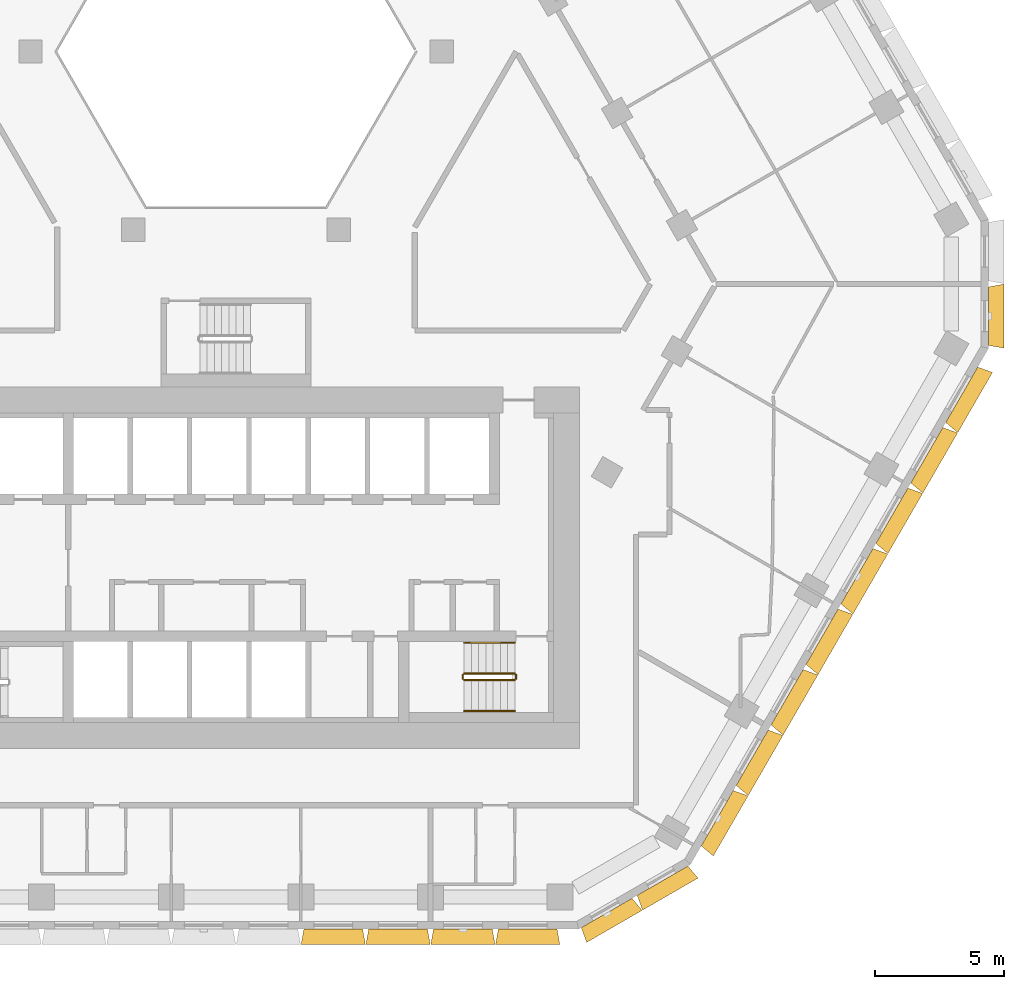
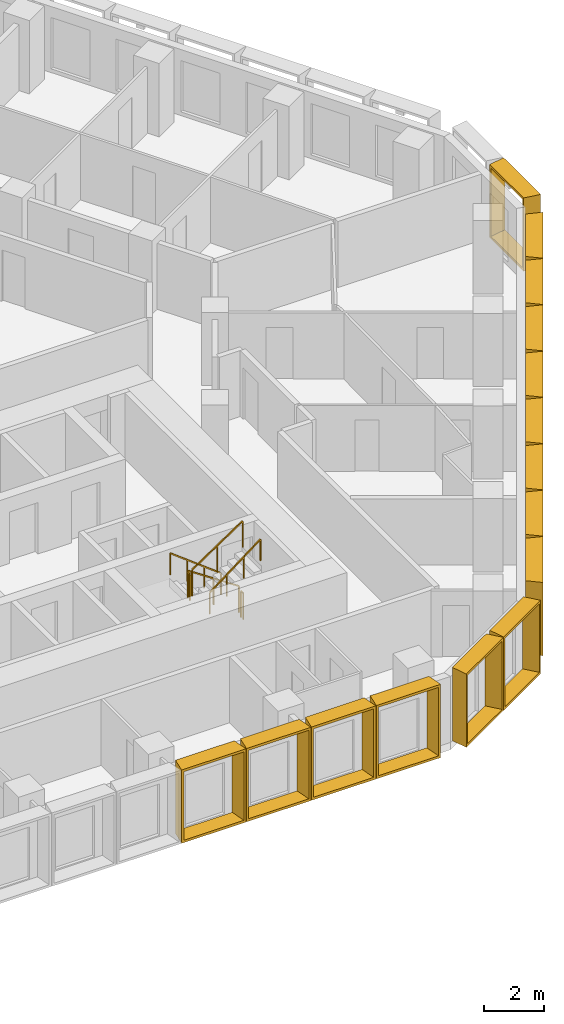
# One storey, part 17 of 18: 15 shading devices, 6 railings.
"""IFC4 building model written with IfcOpenShell, lengths in metres."""

from ifc_helpers import new_model, entity, si_unit, direction, frame, origin, origin_2d, place, context, subcontext, project, spatial, rectangle, extrude, source, transform, mapped, material, type_object, type_shapes, element, save


model = new_model("IFC4")

# Units and contexts
model_context = context("Model", 3, precision=1e-05, world=origin(), true_north=direction((0.0, 1.0)))
body_context = subcontext(model_context, "Body", "Model", "MODEL_VIEW")
ifc_project = project(units=[si_unit("LENGTHUNIT", "METRE"), si_unit("AREAUNIT", "SQUARE_METRE"), si_unit("VOLUMEUNIT", "CUBIC_METRE"), si_unit("PLANEANGLEUNIT", "RADIAN"), si_unit("MASSUNIT", "GRAM", prefix="KILO")], contexts=[model_context])

# Site, building, storey
site_placement = place(None, origin())
site = spatial("IfcSite", under=ifc_project, at=site_placement, CompositionType="ELEMENT")
building_placement = place(site_placement, origin())
building = spatial("IfcBuilding", under=site, at=building_placement, Name="Beryl Residences", CompositionType="ELEMENT")
storey_placement = place(building_placement, frame((0.0, 0.0, 93.0)))
storey = spatial("IfcBuildingStorey", under=building, at=storey_placement, Name="L28", CompositionType="ELEMENT", Elevation=93.0)

# Shading devices
ifc_material_1 = material(Name="Aluminium pale anodised", Category="aluminium")
shading_device_type_1 = type_object("IfcShadingDeviceType", Name="FR250-60A OUTER SKIN frame 600 mm deep, splay 10/10 deg, 2500 x 3000 mm cell", PredefinedType="USERDEFINED", material=ifc_material_1)
cartesian_point_1 = entity("IfcCartesianPoint", [-1.134033203125, 0.0])
cartesian_point_2 = entity("IfcCartesianPoint", [-1.052734375, 0.10009765625])
cartesian_point_3 = entity("IfcCartesianPoint", [-1.23974609375, 0.0])
cartesian_point_4 = entity("IfcCartesianPoint", [-1.158447265625, 0.10009765625])
shared_shape_1 = source(origin(), body_context, "Body", "SweptSolid", [
    entity("IfcExtrudedAreaSolidTapered", entity("IfcArbitraryProfileDefWithVoids", "AREA", None, entity("IfcPolyline", [cartesian_point_1, entity("IfcCartesianPoint", [1.134033203125, 0.0]), entity("IfcCartesianPoint", [1.134033203125, 3.0]), entity("IfcCartesianPoint", [-1.134033203125, 3.0]), cartesian_point_1]), [entity("IfcPolyline", [cartesian_point_2, entity("IfcCartesianPoint", [1.052734375, 0.10009765625]), entity("IfcCartesianPoint", [1.052734375, 2.89990234375]), entity("IfcCartesianPoint", [-1.052734375, 2.89990234375]), cartesian_point_2])]), entity("IfcAxis2Placement3D", entity("IfcCartesianPoint", [0.0, 0.0, 0.0]), entity("IfcDirection", [0.0, 1.0, 0.0]), entity("IfcDirection", [-1.0, 0.0, 0.0])), entity("IfcDirection", [0.0, 0.0, 1.0]), 0.60009765625, entity("IfcArbitraryProfileDefWithVoids", "AREA", None, entity("IfcPolyline", [cartesian_point_3, entity("IfcCartesianPoint", [1.23974609375, 0.0]), entity("IfcCartesianPoint", [1.23974609375, 3.0]), entity("IfcCartesianPoint", [-1.23974609375, 3.0]), cartesian_point_3]), [entity("IfcPolyline", [cartesian_point_4, entity("IfcCartesianPoint", [1.158447265625, 0.10009765625]), entity("IfcCartesianPoint", [1.158447265625, 2.89990234375]), entity("IfcCartesianPoint", [-1.158447265625, 2.89990234375]), cartesian_point_4])])),
])
type_shapes(shading_device_type_1, [shared_shape_1])
for number, where, z_axis, x_axis, name in (
    (1, (14.361083984375, -25.375, 0.0), (0.0, 0.0, 1.0), (-0.866025403784, -0.5, 0.0), "FR250-60A frame L28 S-SE 1"),
    (2, (16.527099609375, -24.125, 0.0), (0.0, 0.0, 1.0), (-0.866025403784, -0.5, 0.0), "FR250-60A frame L28 S-SE 2"),
    (3, (29.156982421875, -2.25, 0.0), (0.0, 0.0, 1.0), (0.0, -1.0, 0.0), "FR250-60A frame L28 SE-NE 1"),
):
    element("IfcShadingDevice", number, at=place(storey_placement, frame(where, z_axis=z_axis, x_axis=x_axis)), inside=storey, type_object=shading_device_type_1, Name=name, ObjectType="OUTER SKIN", PredefinedType="USERDEFINED", context=body_context, shape_type="MappedRepresentation", body=[
        mapped(shared_shape_1, transform((0.0, 0.0, 0.0))),
    ])
ifc_material_2 = material(Name="Aluminium pale anodised", Category="aluminium")
shading_device_type_2 = type_object("IfcShadingDeviceType", Name="FR251-60A OUTER SKIN frame 600 mm deep, splay 10/10 deg, 2510 x 3000 mm cell", PredefinedType="USERDEFINED", material=ifc_material_2)
cartesian_point_5 = entity("IfcCartesianPoint", [-1.138916015625, 0.0])
cartesian_point_6 = entity("IfcCartesianPoint", [-1.057861328125, 0.10009765625])
cartesian_point_7 = entity("IfcCartesianPoint", [-1.244873046875, 0.0])
cartesian_point_8 = entity("IfcCartesianPoint", [-1.16357421875, 0.10009765625])
shared_shape_2 = source(origin(), body_context, "Body", "SweptSolid", [
    entity("IfcExtrudedAreaSolidTapered", entity("IfcArbitraryProfileDefWithVoids", "AREA", None, entity("IfcPolyline", [cartesian_point_5, entity("IfcCartesianPoint", [1.138916015625, 0.0]), entity("IfcCartesianPoint", [1.138916015625, 3.0]), entity("IfcCartesianPoint", [-1.138916015625, 3.0]), cartesian_point_5]), [entity("IfcPolyline", [cartesian_point_6, entity("IfcCartesianPoint", [1.057861328125, 0.10009765625]), entity("IfcCartesianPoint", [1.057861328125, 2.89990234375]), entity("IfcCartesianPoint", [-1.057861328125, 2.89990234375]), cartesian_point_6])]), entity("IfcAxis2Placement3D", entity("IfcCartesianPoint", [0.0, 0.0, 0.0]), entity("IfcDirection", [0.0, 1.0, 0.0]), entity("IfcDirection", [-1.0, 0.0, 0.0])), entity("IfcDirection", [0.0, 0.0, 1.0]), 0.60009765625, entity("IfcArbitraryProfileDefWithVoids", "AREA", None, entity("IfcPolyline", [cartesian_point_7, entity("IfcCartesianPoint", [1.244873046875, 0.0]), entity("IfcCartesianPoint", [1.244873046875, 3.0]), entity("IfcCartesianPoint", [-1.244873046875, 3.0]), cartesian_point_7]), [entity("IfcPolyline", [cartesian_point_8, entity("IfcCartesianPoint", [1.16357421875, 0.10009765625]), entity("IfcCartesianPoint", [1.16357421875, 2.89990234375]), entity("IfcCartesianPoint", [-1.16357421875, 2.89990234375]), cartesian_point_8])])),
])
type_shapes(shading_device_type_2, [shared_shape_2])
for number, where, z_axis, x_axis, name in (
    (4, (3.76806640625, -26.0, 0.0), (0.0, 0.0, 1.0), (-1.0, 0.0, 0.0), "FR251-60A frame L28 S 7"),
    (5, (6.279052734375, -26.0, 0.0), (0.0, 0.0, 1.0), (-1.0, 0.0, 0.0), "FR251-60A frame L28 S 8"),
    (6, (8.791015625, -26.0, 0.0), (0.0, 0.0, 1.0), (-1.0, 0.0, 0.0), "FR251-60A frame L28 S 9"),
    (7, (11.302001953125, -26.0, 0.0), (0.0, 0.0, 1.0), (-1.0, 0.0, 0.0), "FR251-60A frame L28 S 10"),
):
    element("IfcShadingDevice", number, at=place(storey_placement, frame(where, z_axis=z_axis, x_axis=x_axis)), inside=storey, type_object=shading_device_type_2, Name=name, ObjectType="OUTER SKIN", PredefinedType="USERDEFINED", context=body_context, shape_type="MappedRepresentation", body=[
        mapped(shared_shape_2, transform((0.0, 0.0, 0.0))),
    ])
ifc_material_3 = material(Name="Aluminium pale anodised", Category="aluminium")
shading_device_type_3 = type_object("IfcShadingDeviceType", Name="FR271-60A OUTER SKIN frame 600 mm deep, splay 10/10 deg, 2710 x 3000 mm cell", PredefinedType="USERDEFINED", material=ifc_material_3)
cartesian_point_9 = entity("IfcCartesianPoint", [-1.239013671875, 0.0])
cartesian_point_10 = entity("IfcCartesianPoint", [-1.15771484375, 0.10009765625])
cartesian_point_11 = entity("IfcCartesianPoint", [-1.3447265625, 0.0])
cartesian_point_12 = entity("IfcCartesianPoint", [-1.263671875, 0.10009765625])
shared_shape_3 = source(origin(), body_context, "Body", "SweptSolid", [
    entity("IfcExtrudedAreaSolidTapered", entity("IfcArbitraryProfileDefWithVoids", "AREA", None, entity("IfcPolyline", [cartesian_point_9, entity("IfcCartesianPoint", [1.239013671875, 0.0]), entity("IfcCartesianPoint", [1.239013671875, 3.0]), entity("IfcCartesianPoint", [-1.239013671875, 3.0]), cartesian_point_9]), [entity("IfcPolyline", [cartesian_point_10, entity("IfcCartesianPoint", [1.15771484375, 0.10009765625]), entity("IfcCartesianPoint", [1.15771484375, 2.89990234375]), entity("IfcCartesianPoint", [-1.15771484375, 2.89990234375]), cartesian_point_10])]), entity("IfcAxis2Placement3D", entity("IfcCartesianPoint", [0.0, 0.0, 0.0]), entity("IfcDirection", [0.0, 1.0, 0.0]), entity("IfcDirection", [-1.0, 0.0, 0.0])), entity("IfcDirection", [0.0, 0.0, 1.0]), 0.60009765625, entity("IfcArbitraryProfileDefWithVoids", "AREA", None, entity("IfcPolyline", [cartesian_point_11, entity("IfcCartesianPoint", [1.3447265625, 0.0]), entity("IfcCartesianPoint", [1.3447265625, 3.0]), entity("IfcCartesianPoint", [-1.3447265625, 3.0]), cartesian_point_11]), [entity("IfcPolyline", [cartesian_point_12, entity("IfcCartesianPoint", [1.263671875, 0.10009765625]), entity("IfcCartesianPoint", [1.263671875, 2.89990234375]), entity("IfcCartesianPoint", [-1.263671875, 2.89990234375]), cartesian_point_12])])),
])
type_shapes(shading_device_type_3, [shared_shape_3])
for number, where, z_axis, x_axis, name in (
    (8, (18.64697265625, -21.7041015625, 0.0), (0.0, 0.0, 1.0), (-0.5, -0.866025403784, 0.0), "FR271-60A frame L28 SE 1"),
    (9, (20.0, -19.360107421875, 0.0), (0.0, 0.0, 1.0), (-0.5, -0.866025403784, 0.0), "FR271-60A frame L28 SE 2"),
    (10, (21.35302734375, -17.01611328125, 0.0), (0.0, 0.0, 1.0), (-0.5, -0.866025403784, 0.0), "FR271-60A frame L28 SE 3"),
    (11, (22.7060546875, -14.672119140625, 0.0), (0.0, 0.0, 1.0), (-0.5, -0.866025403784, 0.0), "FR271-60A frame L28 SE 4"),
    (12, (24.06005859375, -12.327880859375, 0.0), (0.0, 0.0, 1.0), (-0.5, -0.866025403784, 0.0), "FR271-60A frame L28 SE 5"),
    (13, (25.4130859375, -9.98388671875, 0.0), (0.0, 0.0, 1.0), (-0.5, -0.866025403784, 0.0), "FR271-60A frame L28 SE 6"),
    (14, (26.76611328125, -7.639892578125, 0.0), (0.0, 0.0, 1.0), (-0.5, -0.866025403784, 0.0), "FR271-60A frame L28 SE 7"),
    (15, (28.118896484375, -5.2958984375, 0.0), (0.0, 0.0, 1.0), (-0.5, -0.866025403784, 0.0), "FR271-60A frame L28 SE 8"),
):
    element("IfcShadingDevice", number, at=place(storey_placement, frame(where, z_axis=z_axis, x_axis=x_axis)), inside=storey, type_object=shading_device_type_3, Name=name, ObjectType="OUTER SKIN", PredefinedType="USERDEFINED", context=body_context, shape_type="MappedRepresentation", body=[
        mapped(shared_shape_3, transform((0.0, 0.0, 0.0))),
    ])

# Railings
ifc_material_4 = material(Name="Stainless steel balustrade with glass infill", Category="steel")
railing_type_1 = type_object("IfcRailingType", Name="SG1 stair guard 1100 mm", PredefinedType="GUARDRAIL", material=ifc_material_4)
railing_1_placement = place(storey_placement, frame((10.800048828125, -16.10009765625, 0.1875)))
element("IfcRailing", 16, at=railing_1_placement, inside=storey, type_object=railing_type_1, Name="L28 ST-3 stair guard 1", PredefinedType="GUARDRAIL", context=body_context, shape_type="SweptSolid", body=[
    extrude(rectangle(XDim=0.048095703125, YDim=0.048095703125, at=origin_2d()), frame((0.0, 0.0, 1.076171875), z_axis=(-0.830902050051, 0.0, 0.556418712142), x_axis=(0.0, -1.0, 0.0)), (0.0, 0.0, 1.0), 2.35888671875),
    extrude(rectangle(XDim=0.0419921875, YDim=0.0419921875, at=origin_2d()), origin(), (0.0, 0.0, 1.0), 1.052001953125),
    extrude(rectangle(XDim=0.0419921875, YDim=0.0419921875, at=origin_2d()), frame((-0.97998046875, 0.0, 0.65625)), (0.0, 0.0, 1.0), 1.052001953125),
    extrude(rectangle(XDim=0.0419921875, YDim=0.0419921875, at=origin_2d()), frame((-1.9599609375, 0.0, 1.3125)), (0.0, 0.0, 1.0), 1.052001953125),
])
railing_2_placement = place(storey_placement, frame((8.7900390625, -16.14990234375, 1.5)))
element("IfcRailing", 17, at=railing_2_placement, inside=storey, type_object=railing_type_1, Name="L28 ST-3 stair guard 2", PredefinedType="GUARDRAIL", context=body_context, shape_type="SweptSolid", body=[
    extrude(rectangle(XDim=0.048095703125, YDim=0.048095703125, at=origin_2d()), frame((0.0, 0.0, 1.076171875), z_axis=(0.0, -1.0, 0.0), x_axis=(1.0, 0.0, 0.0)), (0.0, 0.0, 1.0), 0.150146484375),
    extrude(rectangle(XDim=0.0419921875, YDim=0.0419921875, at=origin_2d()), origin(), (0.0, 0.0, 1.0), 1.052001953125),
    extrude(rectangle(XDim=0.0419921875, YDim=0.0419921875, at=origin_2d()), frame((0.0, -0.150146484375, 0.0)), (0.0, 0.0, 1.0), 1.052001953125),
])
railing_3_placement = place(storey_placement, frame((8.840087890625, -16.35009765625, 1.6875)))
element("IfcRailing", 18, at=railing_3_placement, inside=storey, type_object=railing_type_1, Name="L28 ST-3 stair guard 3", PredefinedType="GUARDRAIL", context=body_context, shape_type="SweptSolid", body=[
    extrude(rectangle(XDim=0.048095703125, YDim=0.048095703125, at=origin_2d()), frame((0.0, 0.0, 1.076171875), z_axis=(0.830902050051, 0.0, 0.556418712142), x_axis=(0.0, 1.0, 0.0)), (0.0, 0.0, 1.0), 2.35888671875),
    extrude(rectangle(XDim=0.0419921875, YDim=0.0419921875, at=origin_2d()), origin(), (0.0, 0.0, 1.0), 1.052001953125),
    extrude(rectangle(XDim=0.0419921875, YDim=0.0419921875, at=origin_2d()), frame((0.97998046875, 0.0, 0.65625)), (0.0, 0.0, 1.0), 1.052001953125),
    extrude(rectangle(XDim=0.0419921875, YDim=0.0419921875, at=origin_2d()), frame((1.9599609375, 0.0, 1.3125)), (0.0, 0.0, 1.0), 1.052001953125),
])
railing_4_placement = place(storey_placement, frame((10.85009765625, -16.14990234375, 0.0)))
element("IfcRailing", 19, at=railing_4_placement, inside=storey, type_object=railing_type_1, Name="L28 ST-3 stair guard 4", PredefinedType="GUARDRAIL", context=body_context, shape_type="SweptSolid", body=[
    extrude(rectangle(XDim=0.048095703125, YDim=0.048095703125, at=origin_2d()), frame((0.0, 0.0, 1.076171875), z_axis=(0.0, -1.0, 0.0), x_axis=(1.0, 0.0, 0.0)), (0.0, 0.0, 1.0), 0.150146484375),
    extrude(rectangle(XDim=0.0419921875, YDim=0.0419921875, at=origin_2d()), origin(), (0.0, 0.0, 1.0), 1.052001953125),
    extrude(rectangle(XDim=0.0419921875, YDim=0.0419921875, at=origin_2d()), frame((0.0, -0.150146484375, 0.0)), (0.0, 0.0, 1.0), 1.052001953125),
])
ifc_material_5 = material(Name="Stainless steel handrail", Category="steel")
railing_type_2 = type_object("IfcRailingType", Name="SRL1 stair handrail 900 mm", PredefinedType="HANDRAIL", material=ifc_material_5)
railing_5_placement = place(storey_placement, frame((10.800048828125, -14.89990234375, 0.1875)))
element("IfcRailing", 20, at=railing_5_placement, inside=storey, type_object=railing_type_2, Name="L28 ST-3 stair handrail 1", PredefinedType="HANDRAIL", context=body_context, shape_type="SweptSolid", body=[
    extrude(rectangle(XDim=0.048095703125, YDim=0.048095703125, at=origin_2d()), frame((0.0, 0.0, 0.8759765625), z_axis=(-0.794121922505, 0.0, 0.607758481798), x_axis=(0.0, -1.0, 0.0)), (0.0, 0.0, 1.0), 2.468017578125),
    extrude(rectangle(XDim=0.0419921875, YDim=0.0419921875, at=origin_2d()), origin(), (0.0, 0.0, 1.0), 0.851806640625),
    extrude(rectangle(XDim=0.0419921875, YDim=0.0419921875, at=origin_2d()), frame((-0.6533203125, 0.0, 0.5)), (0.0, 0.0, 1.0), 0.851806640625),
    extrude(rectangle(XDim=0.0419921875, YDim=0.0419921875, at=origin_2d()), frame((-1.306640625, 0.0, 1.0)), (0.0, 0.0, 1.0), 0.851806640625),
    extrude(rectangle(XDim=0.0419921875, YDim=0.0419921875, at=origin_2d()), frame((-1.9599609375, 0.0, 1.5)), (0.0, 0.0, 1.0), 0.851806640625),
])
railing_6_placement = place(storey_placement, frame((8.840087890625, -17.550048828125, 1.6875)))
element("IfcRailing", 21, at=railing_6_placement, inside=storey, type_object=railing_type_2, Name="L28 ST-3 stair handrail 2", PredefinedType="HANDRAIL", context=body_context, shape_type="SweptSolid", body=[
    extrude(rectangle(XDim=0.048095703125, YDim=0.048095703125, at=origin_2d()), frame((0.0, 0.0, 0.8759765625), z_axis=(0.794121922505, 0.0, 0.607758481798), x_axis=(0.0, 1.0, 0.0)), (0.0, 0.0, 1.0), 2.468017578125),
    extrude(rectangle(XDim=0.0419921875, YDim=0.0419921875, at=origin_2d()), origin(), (0.0, 0.0, 1.0), 0.851806640625),
    extrude(rectangle(XDim=0.0419921875, YDim=0.0419921875, at=origin_2d()), frame((0.6533203125, 0.0, 0.5)), (0.0, 0.0, 1.0), 0.851806640625),
    extrude(rectangle(XDim=0.0419921875, YDim=0.0419921875, at=origin_2d()), frame((1.306640625, 0.0, 1.0)), (0.0, 0.0, 1.0), 0.851806640625),
    extrude(rectangle(XDim=0.0419921875, YDim=0.0419921875, at=origin_2d()), frame((1.9599609375, 0.0, 1.5)), (0.0, 0.0, 1.0), 0.851806640625),
])

save(model, "model.ifc")
